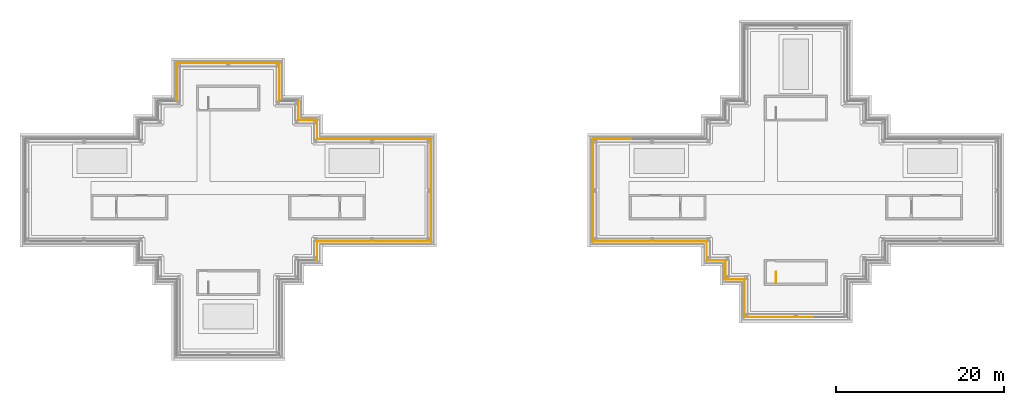
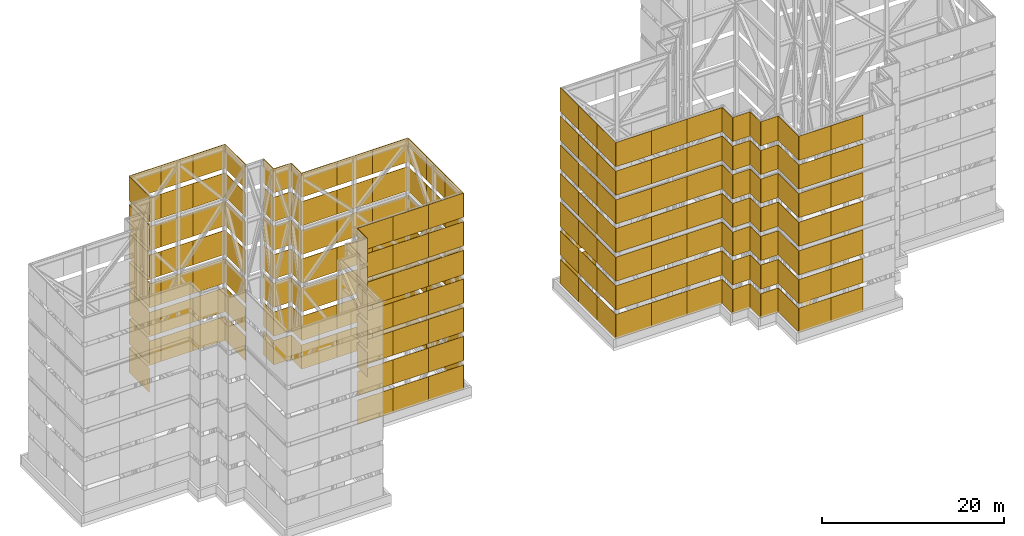
# One storey, part 15 of 19: 217 coverings, 1 railing.
"""IFC4 building model written with IfcOpenShell, lengths in metres."""

from ifc_helpers import new_model, si_unit, direction, frame, origin, origin_2d, place, context, subcontext, project, spatial, rectangle, circle, extrude, material, layer, layer_set, type_object, element, save


model = new_model("IFC4")

# Units and contexts
model_context = context("Model", 3, precision=1e-05, world=origin(), true_north=direction((0.0, 1.0)))
body_context = subcontext(model_context, "Body", "Model", "MODEL_VIEW")
ifc_project = project(units=[si_unit("LENGTHUNIT", "METRE"), si_unit("AREAUNIT", "SQUARE_METRE"), si_unit("VOLUMEUNIT", "CUBIC_METRE"), si_unit("PLANEANGLEUNIT", "RADIAN"), si_unit("MASSUNIT", "GRAM", prefix="KILO")], contexts=[model_context])

# Site, building, storey
site_placement = place(None, origin())
site = spatial("IfcSite", under=ifc_project, at=site_placement, CompositionType="ELEMENT")
building_placement = place(site_placement, origin())
building = spatial("IfcBuilding", under=site, at=building_placement, Name="Shamsa Quay Exchange Towers", CompositionType="ELEMENT")
storey_placement = place(building_placement, frame((0.0, 0.0, 284.300048828125)))
storey = spatial("IfcBuildingStorey", under=building, at=storey_placement, Name="Roof", CompositionType="ELEMENT", Elevation=284.300048828125)

# Coverings
ifc_material_1 = material(Name="Aluminium EN AW-5083, dark bronze anodised, perforated", Category="aluminium")
ifc_layer = layer(ifc_material_1, 0.0400390625)
ifc_layer_set = layer_set([ifc_layer], Name="CROWN SCREEN PANEL 40")
covering_type = type_object("IfcCoveringType", Name="CROWN SCREEN PANEL 40", PredefinedType="CLADDING", material=ifc_layer_set)
for number, where, z_axis, x_axis, name in (
    (1, (-23.14697265625, -7.2080078125, 8.28564453125), (0.0, 0.0, 1.0), (0.0, 1.0, 0.0), "SCREEN T1 CR08 tier 3"),
    (2, (-23.14697265625, -7.2080078125, 12.12841796875), (0.0, 0.0, 1.0), (0.0, 1.0, 0.0), "SCREEN T1 CR08 tier 4"),
    (3, (-23.14697265625, -7.2080078125, 15.97119140625), (0.0, 0.0, 1.0), (0.0, 1.0, 0.0), "SCREEN T1 CR08 tier 5"),
    (4, (-23.14697265625, -7.2080078125, 19.81396484375), (0.0, 0.0, 1.0), (0.0, 1.0, 0.0), "SCREEN T1 CR08 tier 6"),
    (5, (-23.14697265625, -7.2080078125, 23.6572265625), (0.0, 0.0, 1.0), (0.0, 1.0, 0.0), "SCREEN T1 CR08 tier 7"),
):
    element("IfcCovering", number, at=place(storey_placement, frame(where, z_axis=z_axis, x_axis=x_axis)), inside=storey, type_object=covering_type, Name=name, PredefinedType="CLADDING", context=body_context, shape_type="SweptSolid", body=[
        extrude(rectangle(XDim=2.25, YDim=0.0400390625, at=origin_2d()), origin(), (0.0, 0.0, 1.0), 3.242919921875),
    ])
for number, where, name in (
    (6, (-20.8818359375, -6.10302734375, 0.60009765625), "SCREEN T1 CR09 tier 1"),
    (7, (-16.39599609375, -6.10302734375, 0.60009765625), "SCREEN T1 CR09 tier 1"),
    (8, (-11.909912109375, -6.10302734375, 0.60009765625), "SCREEN T1 CR09 tier 1"),
    (9, (-20.8818359375, -6.10302734375, 4.44287109375), "SCREEN T1 CR09 tier 2"),
    (10, (-16.39599609375, -6.10302734375, 4.44287109375), "SCREEN T1 CR09 tier 2"),
    (11, (-11.909912109375, -6.10302734375, 4.44287109375), "SCREEN T1 CR09 tier 2"),
    (12, (-20.8818359375, -6.10302734375, 8.28564453125), "SCREEN T1 CR09 tier 3"),
    (13, (-16.39599609375, -6.10302734375, 8.28564453125), "SCREEN T1 CR09 tier 3"),
    (14, (-11.909912109375, -6.10302734375, 8.28564453125), "SCREEN T1 CR09 tier 3"),
    (15, (-20.8818359375, -6.10302734375, 12.12841796875), "SCREEN T1 CR09 tier 4"),
    (16, (-16.39599609375, -6.10302734375, 12.12841796875), "SCREEN T1 CR09 tier 4"),
    (17, (-11.909912109375, -6.10302734375, 12.12841796875), "SCREEN T1 CR09 tier 4"),
    (18, (-20.8818359375, -6.10302734375, 15.97119140625), "SCREEN T1 CR09 tier 5"),
    (19, (-16.39599609375, -6.10302734375, 15.97119140625), "SCREEN T1 CR09 tier 5"),
    (20, (-11.909912109375, -6.10302734375, 15.97119140625), "SCREEN T1 CR09 tier 5"),
    (21, (-20.8818359375, -6.10302734375, 19.81396484375), "SCREEN T1 CR09 tier 6"),
    (22, (-16.39599609375, -6.10302734375, 19.81396484375), "SCREEN T1 CR09 tier 6"),
    (23, (-11.909912109375, -6.10302734375, 19.81396484375), "SCREEN T1 CR09 tier 6"),
    (24, (-20.8818359375, -6.10302734375, 23.6572265625), "SCREEN T1 CR09 tier 7"),
    (25, (-16.39599609375, -6.10302734375, 23.6572265625), "SCREEN T1 CR09 tier 7"),
    (26, (-11.909912109375, -6.10302734375, 23.6572265625), "SCREEN T1 CR09 tier 7"),
):
    element("IfcCovering", number, at=place(storey_placement, frame(where)), inside=storey, type_object=covering_type, Name=name, PredefinedType="CLADDING", context=body_context, shape_type="SweptSolid", body=[
        extrude(rectangle(XDim=4.486083984375, YDim=0.0400390625, at=origin_2d()), origin(), (0.0, 0.0, 1.0), 3.242919921875),
    ])
for number, where, z_axis, x_axis, name in (
    (27, (-9.64697265625, -4.055419921875, 0.60009765625), (0.0, 0.0, 1.0), (0.0, 1.0, 0.0), "SCREEN T1 CR10 tier 1"),
    (28, (-9.64697265625, 0.0, 0.60009765625), (0.0, 0.0, 1.0), (0.0, 1.0, 0.0), "SCREEN T1 CR10 tier 1"),
    (29, (-9.64697265625, 4.055419921875, 0.60009765625), (0.0, 0.0, 1.0), (0.0, 1.0, 0.0), "SCREEN T1 CR10 tier 1"),
    (30, (-9.64697265625, -4.055419921875, 4.44287109375), (0.0, 0.0, 1.0), (0.0, 1.0, 0.0), "SCREEN T1 CR10 tier 2"),
    (31, (-9.64697265625, 0.0, 4.44287109375), (0.0, 0.0, 1.0), (0.0, 1.0, 0.0), "SCREEN T1 CR10 tier 2"),
    (32, (-9.64697265625, 4.055419921875, 4.44287109375), (0.0, 0.0, 1.0), (0.0, 1.0, 0.0), "SCREEN T1 CR10 tier 2"),
    (33, (-9.64697265625, -4.055419921875, 8.28564453125), (0.0, 0.0, 1.0), (0.0, 1.0, 0.0), "SCREEN T1 CR10 tier 3"),
    (34, (-9.64697265625, 0.0, 8.28564453125), (0.0, 0.0, 1.0), (0.0, 1.0, 0.0), "SCREEN T1 CR10 tier 3"),
    (35, (-9.64697265625, 4.055419921875, 8.28564453125), (0.0, 0.0, 1.0), (0.0, 1.0, 0.0), "SCREEN T1 CR10 tier 3"),
    (36, (-9.64697265625, -4.055419921875, 12.12841796875), (0.0, 0.0, 1.0), (0.0, 1.0, 0.0), "SCREEN T1 CR10 tier 4"),
    (37, (-9.64697265625, 0.0, 12.12841796875), (0.0, 0.0, 1.0), (0.0, 1.0, 0.0), "SCREEN T1 CR10 tier 4"),
    (38, (-9.64697265625, 4.055419921875, 12.12841796875), (0.0, 0.0, 1.0), (0.0, 1.0, 0.0), "SCREEN T1 CR10 tier 4"),
    (39, (-9.64697265625, -4.055419921875, 15.97119140625), (0.0, 0.0, 1.0), (0.0, 1.0, 0.0), "SCREEN T1 CR10 tier 5"),
    (40, (-9.64697265625, 0.0, 15.97119140625), (0.0, 0.0, 1.0), (0.0, 1.0, 0.0), "SCREEN T1 CR10 tier 5"),
    (41, (-9.64697265625, 4.055419921875, 15.97119140625), (0.0, 0.0, 1.0), (0.0, 1.0, 0.0), "SCREEN T1 CR10 tier 5"),
    (42, (-9.64697265625, -4.055419921875, 19.81396484375), (0.0, 0.0, 1.0), (0.0, 1.0, 0.0), "SCREEN T1 CR10 tier 6"),
    (43, (-9.64697265625, 0.0, 19.81396484375), (0.0, 0.0, 1.0), (0.0, 1.0, 0.0), "SCREEN T1 CR10 tier 6"),
    (44, (-9.64697265625, 4.055419921875, 19.81396484375), (0.0, 0.0, 1.0), (0.0, 1.0, 0.0), "SCREEN T1 CR10 tier 6"),
    (45, (-9.64697265625, -4.055419921875, 23.6572265625), (0.0, 0.0, 1.0), (0.0, 1.0, 0.0), "SCREEN T1 CR10 tier 7"),
    (46, (-9.64697265625, 0.0, 23.6572265625), (0.0, 0.0, 1.0), (0.0, 1.0, 0.0), "SCREEN T1 CR10 tier 7"),
    (47, (-9.64697265625, 4.055419921875, 23.6572265625), (0.0, 0.0, 1.0), (0.0, 1.0, 0.0), "SCREEN T1 CR10 tier 7"),
):
    element("IfcCovering", number, at=place(storey_placement, frame(where, z_axis=z_axis, x_axis=x_axis)), inside=storey, type_object=covering_type, Name=name, PredefinedType="CLADDING", context=body_context, shape_type="SweptSolid", body=[
        extrude(rectangle(XDim=4.055419921875, YDim=0.0400390625, at=origin_2d()), origin(), (0.0, 0.0, 1.0), 3.242919921875),
    ])
for number, where, z_axis, x_axis, name in (
    (48, (-11.9169921875, 6.10302734375, 0.60009765625), (0.0, 0.0, 1.0), (-1.0, 0.0, 0.0), "SCREEN T1 CR11 tier 1"),
    (49, (-16.4169921875, 6.10302734375, 0.60009765625), (0.0, 0.0, 1.0), (-1.0, 0.0, 0.0), "SCREEN T1 CR11 tier 1"),
    (50, (-20.9169921875, 6.10302734375, 0.60009765625), (0.0, 0.0, 1.0), (-1.0, 0.0, 0.0), "SCREEN T1 CR11 tier 1"),
    (51, (-11.9169921875, 6.10302734375, 4.44287109375), (0.0, 0.0, 1.0), (-1.0, 0.0, 0.0), "SCREEN T1 CR11 tier 2"),
    (52, (-16.4169921875, 6.10302734375, 4.44287109375), (0.0, 0.0, 1.0), (-1.0, 0.0, 0.0), "SCREEN T1 CR11 tier 2"),
    (53, (-20.9169921875, 6.10302734375, 4.44287109375), (0.0, 0.0, 1.0), (-1.0, 0.0, 0.0), "SCREEN T1 CR11 tier 2"),
    (54, (-11.9169921875, 6.10302734375, 8.28564453125), (0.0, 0.0, 1.0), (-1.0, 0.0, 0.0), "SCREEN T1 CR11 tier 3"),
    (55, (-16.4169921875, 6.10302734375, 8.28564453125), (0.0, 0.0, 1.0), (-1.0, 0.0, 0.0), "SCREEN T1 CR11 tier 3"),
    (56, (-20.9169921875, 6.10302734375, 8.28564453125), (0.0, 0.0, 1.0), (-1.0, 0.0, 0.0), "SCREEN T1 CR11 tier 3"),
    (57, (-11.9169921875, 6.10302734375, 12.12841796875), (0.0, 0.0, 1.0), (-1.0, 0.0, 0.0), "SCREEN T1 CR11 tier 4"),
    (58, (-16.4169921875, 6.10302734375, 12.12841796875), (0.0, 0.0, 1.0), (-1.0, 0.0, 0.0), "SCREEN T1 CR11 tier 4"),
    (59, (-20.9169921875, 6.10302734375, 12.12841796875), (0.0, 0.0, 1.0), (-1.0, 0.0, 0.0), "SCREEN T1 CR11 tier 4"),
    (60, (-11.9169921875, 6.10302734375, 15.97119140625), (0.0, 0.0, 1.0), (-1.0, 0.0, 0.0), "SCREEN T1 CR11 tier 5"),
    (61, (-16.4169921875, 6.10302734375, 15.97119140625), (0.0, 0.0, 1.0), (-1.0, 0.0, 0.0), "SCREEN T1 CR11 tier 5"),
    (62, (-20.9169921875, 6.10302734375, 15.97119140625), (0.0, 0.0, 1.0), (-1.0, 0.0, 0.0), "SCREEN T1 CR11 tier 5"),
    (63, (-11.9169921875, 6.10302734375, 19.81396484375), (0.0, 0.0, 1.0), (-1.0, 0.0, 0.0), "SCREEN T1 CR11 tier 6"),
    (64, (-16.4169921875, 6.10302734375, 19.81396484375), (0.0, 0.0, 1.0), (-1.0, 0.0, 0.0), "SCREEN T1 CR11 tier 6"),
    (65, (-20.9169921875, 6.10302734375, 19.81396484375), (0.0, 0.0, 1.0), (-1.0, 0.0, 0.0), "SCREEN T1 CR11 tier 6"),
    (66, (-11.9169921875, 6.10302734375, 23.6572265625), (0.0, 0.0, 1.0), (-1.0, 0.0, 0.0), "SCREEN T1 CR11 tier 7"),
    (67, (-16.4169921875, 6.10302734375, 23.6572265625), (0.0, 0.0, 1.0), (-1.0, 0.0, 0.0), "SCREEN T1 CR11 tier 7"),
    (68, (-20.9169921875, 6.10302734375, 23.6572265625), (0.0, 0.0, 1.0), (-1.0, 0.0, 0.0), "SCREEN T1 CR11 tier 7"),
):
    element("IfcCovering", number, at=place(storey_placement, frame(where, z_axis=z_axis, x_axis=x_axis)), inside=storey, type_object=covering_type, Name=name, PredefinedType="CLADDING", context=body_context, shape_type="SweptSolid", body=[
        extrude(rectangle(XDim=4.5, YDim=0.0400390625, at=origin_2d()), origin(), (0.0, 0.0, 1.0), 3.242919921875),
    ])
for number, where, z_axis, x_axis, name in (
    (69, (-23.14697265625, 7.22900390625, 0.60009765625), (0.0, 0.0, 1.0), (0.0, 1.0, 0.0), "SCREEN T1 CR12 tier 1"),
    (70, (-23.14697265625, 7.22900390625, 4.44287109375), (0.0, 0.0, 1.0), (0.0, 1.0, 0.0), "SCREEN T1 CR12 tier 2"),
    (71, (-23.14697265625, 7.22900390625, 8.28564453125), (0.0, 0.0, 1.0), (0.0, 1.0, 0.0), "SCREEN T1 CR12 tier 3"),
    (72, (-23.14697265625, 7.22900390625, 12.12841796875), (0.0, 0.0, 1.0), (0.0, 1.0, 0.0), "SCREEN T1 CR12 tier 4"),
    (73, (-23.14697265625, 7.22900390625, 15.97119140625), (0.0, 0.0, 1.0), (0.0, 1.0, 0.0), "SCREEN T1 CR12 tier 5"),
    (74, (-23.14697265625, 7.22900390625, 19.81396484375), (0.0, 0.0, 1.0), (0.0, 1.0, 0.0), "SCREEN T1 CR12 tier 6"),
    (75, (-23.14697265625, 7.22900390625, 23.6572265625), (0.0, 0.0, 1.0), (0.0, 1.0, 0.0), "SCREEN T1 CR12 tier 7"),
):
    element("IfcCovering", number, at=place(storey_placement, frame(where, z_axis=z_axis, x_axis=x_axis)), inside=storey, type_object=covering_type, Name=name, PredefinedType="CLADDING", context=body_context, shape_type="SweptSolid", body=[
        extrude(rectangle(XDim=2.2080078125, YDim=0.0400390625, at=origin_2d()), origin(), (0.0, 0.0, 1.0), 3.242919921875),
    ])
for number, where, z_axis, x_axis, name in (
    (76, (-24.2919921875, 8.35302734375, 0.60009765625), (0.0, 0.0, 1.0), (-1.0, 0.0, 0.0), "SCREEN T1 CR13 tier 1"),
    (77, (-24.2919921875, 8.35302734375, 4.44287109375), (0.0, 0.0, 1.0), (-1.0, 0.0, 0.0), "SCREEN T1 CR13 tier 2"),
    (78, (-24.2919921875, 8.35302734375, 8.28564453125), (0.0, 0.0, 1.0), (-1.0, 0.0, 0.0), "SCREEN T1 CR13 tier 3"),
    (79, (-24.2919921875, 8.35302734375, 12.12841796875), (0.0, 0.0, 1.0), (-1.0, 0.0, 0.0), "SCREEN T1 CR13 tier 4"),
    (80, (-24.2919921875, 8.35302734375, 15.97119140625), (0.0, 0.0, 1.0), (-1.0, 0.0, 0.0), "SCREEN T1 CR13 tier 5"),
    (81, (-24.2919921875, 8.35302734375, 19.81396484375), (0.0, 0.0, 1.0), (-1.0, 0.0, 0.0), "SCREEN T1 CR13 tier 6"),
    (82, (-24.2919921875, 8.35302734375, 23.6572265625), (0.0, 0.0, 1.0), (-1.0, 0.0, 0.0), "SCREEN T1 CR13 tier 7"),
):
    element("IfcCovering", number, at=place(storey_placement, frame(where, z_axis=z_axis, x_axis=x_axis)), inside=storey, type_object=covering_type, Name=name, PredefinedType="CLADDING", context=body_context, shape_type="SweptSolid", body=[
        extrude(rectangle(XDim=2.25, YDim=0.0400390625, at=origin_2d()), origin(), (0.0, 0.0, 1.0), 3.242919921875),
    ])
for number, where, z_axis, x_axis, name in (
    (83, (-25.39697265625, 9.47900390625, 0.60009765625), (0.0, 0.0, 1.0), (0.0, 1.0, 0.0), "SCREEN T1 CR14 tier 1"),
    (84, (-25.39697265625, 9.47900390625, 4.44287109375), (0.0, 0.0, 1.0), (0.0, 1.0, 0.0), "SCREEN T1 CR14 tier 2"),
    (85, (-25.39697265625, 9.47900390625, 8.28564453125), (0.0, 0.0, 1.0), (0.0, 1.0, 0.0), "SCREEN T1 CR14 tier 3"),
    (86, (-25.39697265625, 9.47900390625, 12.12841796875), (0.0, 0.0, 1.0), (0.0, 1.0, 0.0), "SCREEN T1 CR14 tier 4"),
    (87, (-25.39697265625, 9.47900390625, 15.97119140625), (0.0, 0.0, 1.0), (0.0, 1.0, 0.0), "SCREEN T1 CR14 tier 5"),
    (88, (-25.39697265625, 9.47900390625, 19.81396484375), (0.0, 0.0, 1.0), (0.0, 1.0, 0.0), "SCREEN T1 CR14 tier 6"),
    (89, (-25.39697265625, 9.47900390625, 23.6572265625), (0.0, 0.0, 1.0), (0.0, 1.0, 0.0), "SCREEN T1 CR14 tier 7"),
):
    element("IfcCovering", number, at=place(storey_placement, frame(where, z_axis=z_axis, x_axis=x_axis)), inside=storey, type_object=covering_type, Name=name, PredefinedType="CLADDING", context=body_context, shape_type="SweptSolid", body=[
        extrude(rectangle(XDim=2.2080078125, YDim=0.0400390625, at=origin_2d()), origin(), (0.0, 0.0, 1.0), 3.242919921875),
    ])
for number, where, z_axis, x_axis, name in (
    (90, (-27.64697265625, 12.85400390625, 0.60009765625), (0.0, 0.0, 1.0), (0.0, 1.0, 0.0), "SCREEN T1 CR16 tier 1"),
    (91, (-27.64697265625, 12.85400390625, 4.44287109375), (0.0, 0.0, 1.0), (0.0, 1.0, 0.0), "SCREEN T1 CR16 tier 2"),
    (92, (-27.64697265625, 12.85400390625, 8.28564453125), (0.0, 0.0, 1.0), (0.0, 1.0, 0.0), "SCREEN T1 CR16 tier 3"),
    (93, (-27.64697265625, 12.85400390625, 12.12841796875), (0.0, 0.0, 1.0), (0.0, 1.0, 0.0), "SCREEN T1 CR16 tier 4"),
    (94, (-27.64697265625, 12.85400390625, 15.97119140625), (0.0, 0.0, 1.0), (0.0, 1.0, 0.0), "SCREEN T1 CR16 tier 5"),
    (95, (-27.64697265625, 12.85400390625, 19.81396484375), (0.0, 0.0, 1.0), (0.0, 1.0, 0.0), "SCREEN T1 CR16 tier 6"),
    (96, (-27.64697265625, 12.85400390625, 23.6572265625), (0.0, 0.0, 1.0), (0.0, 1.0, 0.0), "SCREEN T1 CR16 tier 7"),
):
    element("IfcCovering", number, at=place(storey_placement, frame(where, z_axis=z_axis, x_axis=x_axis)), inside=storey, type_object=covering_type, Name=name, PredefinedType="CLADDING", context=body_context, shape_type="SweptSolid", body=[
        extrude(rectangle(XDim=4.4580078125, YDim=0.0400390625, at=origin_2d()), origin(), (0.0, 0.0, 1.0), 3.242919921875),
    ])
for number, where, z_axis, x_axis, name in (
    (97, (-29.694580078125, 15.10302734375, 0.60009765625), (0.0, 0.0, 1.0), (-1.0, 0.0, 0.0), "SCREEN T1 CR17 tier 1"),
    (98, (-33.75, 15.10302734375, 0.60009765625), (0.0, 0.0, 1.0), (-1.0, 0.0, 0.0), "SCREEN T1 CR17 tier 1"),
    (99, (-37.805419921875, 15.10302734375, 0.60009765625), (0.0, 0.0, 1.0), (-1.0, 0.0, 0.0), "SCREEN T1 CR17 tier 1"),
    (100, (-29.694580078125, 15.10302734375, 4.44287109375), (0.0, 0.0, 1.0), (-1.0, 0.0, 0.0), "SCREEN T1 CR17 tier 2"),
    (101, (-33.75, 15.10302734375, 4.44287109375), (0.0, 0.0, 1.0), (-1.0, 0.0, 0.0), "SCREEN T1 CR17 tier 2"),
    (102, (-37.805419921875, 15.10302734375, 4.44287109375), (0.0, 0.0, 1.0), (-1.0, 0.0, 0.0), "SCREEN T1 CR17 tier 2"),
    (103, (-29.694580078125, 15.10302734375, 8.28564453125), (0.0, 0.0, 1.0), (-1.0, 0.0, 0.0), "SCREEN T1 CR17 tier 3"),
    (104, (-33.75, 15.10302734375, 8.28564453125), (0.0, 0.0, 1.0), (-1.0, 0.0, 0.0), "SCREEN T1 CR17 tier 3"),
    (105, (-37.805419921875, 15.10302734375, 8.28564453125), (0.0, 0.0, 1.0), (-1.0, 0.0, 0.0), "SCREEN T1 CR17 tier 3"),
    (106, (-29.694580078125, 15.10302734375, 12.12841796875), (0.0, 0.0, 1.0), (-1.0, 0.0, 0.0), "SCREEN T1 CR17 tier 4"),
    (107, (-33.75, 15.10302734375, 12.12841796875), (0.0, 0.0, 1.0), (-1.0, 0.0, 0.0), "SCREEN T1 CR17 tier 4"),
    (108, (-37.805419921875, 15.10302734375, 12.12841796875), (0.0, 0.0, 1.0), (-1.0, 0.0, 0.0), "SCREEN T1 CR17 tier 4"),
    (109, (-29.694580078125, 15.10302734375, 15.97119140625), (0.0, 0.0, 1.0), (-1.0, 0.0, 0.0), "SCREEN T1 CR17 tier 5"),
    (110, (-33.75, 15.10302734375, 15.97119140625), (0.0, 0.0, 1.0), (-1.0, 0.0, 0.0), "SCREEN T1 CR17 tier 5"),
    (111, (-37.805419921875, 15.10302734375, 15.97119140625), (0.0, 0.0, 1.0), (-1.0, 0.0, 0.0), "SCREEN T1 CR17 tier 5"),
    (112, (-29.694580078125, 15.10302734375, 19.81396484375), (0.0, 0.0, 1.0), (-1.0, 0.0, 0.0), "SCREEN T1 CR17 tier 6"),
    (113, (-33.75, 15.10302734375, 19.81396484375), (0.0, 0.0, 1.0), (-1.0, 0.0, 0.0), "SCREEN T1 CR17 tier 6"),
    (114, (-37.805419921875, 15.10302734375, 19.81396484375), (0.0, 0.0, 1.0), (-1.0, 0.0, 0.0), "SCREEN T1 CR17 tier 6"),
    (115, (-29.694580078125, 15.10302734375, 23.6572265625), (0.0, 0.0, 1.0), (-1.0, 0.0, 0.0), "SCREEN T1 CR17 tier 7"),
    (116, (-33.75, 15.10302734375, 23.6572265625), (0.0, 0.0, 1.0), (-1.0, 0.0, 0.0), "SCREEN T1 CR17 tier 7"),
    (117, (-37.805419921875, 15.10302734375, 23.6572265625), (0.0, 0.0, 1.0), (-1.0, 0.0, 0.0), "SCREEN T1 CR17 tier 7"),
):
    element("IfcCovering", number, at=place(storey_placement, frame(where, z_axis=z_axis, x_axis=x_axis)), inside=storey, type_object=covering_type, Name=name, PredefinedType="CLADDING", context=body_context, shape_type="SweptSolid", body=[
        extrude(rectangle(XDim=4.055419921875, YDim=0.0400390625, at=origin_2d()), origin(), (0.0, 0.0, 1.0), 3.242919921875),
    ])
for number, where, z_axis, x_axis, name in (
    (118, (-39.85302734375, 12.8330078125, 0.60009765625), (0.0, 0.0, 1.0), (0.0, -1.0, 0.0), "SCREEN T1 CR18 tier 1"),
    (119, (-39.85302734375, 12.8330078125, 4.44287109375), (0.0, 0.0, 1.0), (0.0, -1.0, 0.0), "SCREEN T1 CR18 tier 2"),
    (120, (-39.85302734375, 12.8330078125, 8.28564453125), (0.0, 0.0, 1.0), (0.0, -1.0, 0.0), "SCREEN T1 CR18 tier 3"),
    (121, (-39.85302734375, 12.8330078125, 12.12841796875), (0.0, 0.0, 1.0), (0.0, -1.0, 0.0), "SCREEN T1 CR18 tier 4"),
    (122, (-39.85302734375, 12.8330078125, 15.97119140625), (0.0, 0.0, 1.0), (0.0, -1.0, 0.0), "SCREEN T1 CR18 tier 5"),
    (123, (-39.85302734375, 12.8330078125, 19.81396484375), (0.0, 0.0, 1.0), (0.0, -1.0, 0.0), "SCREEN T1 CR18 tier 6"),
    (124, (-39.85302734375, 12.8330078125, 23.6572265625), (0.0, 0.0, 1.0), (0.0, -1.0, 0.0), "SCREEN T1 CR18 tier 7"),
):
    element("IfcCovering", number, at=place(storey_placement, frame(where, z_axis=z_axis, x_axis=x_axis)), inside=storey, type_object=covering_type, Name=name, PredefinedType="CLADDING", context=body_context, shape_type="SweptSolid", body=[
        extrude(rectangle(XDim=4.5, YDim=0.0400390625, at=origin_2d()), origin(), (0.0, 0.0, 1.0), 3.242919921875),
    ])
for number, where, z_axis, x_axis, name in (
    (125, (11.909912109375, 6.10302734375, 0.60009765625), (0.0, 0.0, 1.0), (-1.0, 0.0, 0.0), "SCREEN T2 CR16 tier 1"),
    (126, (11.909912109375, 6.10302734375, 4.44287109375), (0.0, 0.0, 1.0), (-1.0, 0.0, 0.0), "SCREEN T2 CR16 tier 2"),
):
    element("IfcCovering", number, at=place(storey_placement, frame(where, z_axis=z_axis, x_axis=x_axis)), inside=storey, type_object=covering_type, Name=name, PredefinedType="CLADDING", context=body_context, shape_type="SweptSolid", body=[
        extrude(rectangle(XDim=4.486083984375, YDim=0.0400390625, at=origin_2d()), origin(), (0.0, 0.0, 1.0), 3.242919921875),
    ])
for number, where, z_axis, x_axis, name in (
    (127, (9.64697265625, 4.055419921875, 0.60009765625), (0.0, 0.0, 1.0), (0.0, -1.0, 0.0), "SCREEN T2 CR17 tier 1"),
    (128, (9.64697265625, 0.0, 0.60009765625), (0.0, 0.0, 1.0), (0.0, -1.0, 0.0), "SCREEN T2 CR17 tier 1"),
    (129, (9.64697265625, -4.055419921875, 0.60009765625), (0.0, 0.0, 1.0), (0.0, -1.0, 0.0), "SCREEN T2 CR17 tier 1"),
    (130, (9.64697265625, 4.055419921875, 4.44287109375), (0.0, 0.0, 1.0), (0.0, -1.0, 0.0), "SCREEN T2 CR17 tier 2"),
    (131, (9.64697265625, 0.0, 4.44287109375), (0.0, 0.0, 1.0), (0.0, -1.0, 0.0), "SCREEN T2 CR17 tier 2"),
    (132, (9.64697265625, -4.055419921875, 4.44287109375), (0.0, 0.0, 1.0), (0.0, -1.0, 0.0), "SCREEN T2 CR17 tier 2"),
    (133, (9.64697265625, 4.055419921875, 8.28564453125), (0.0, 0.0, 1.0), (0.0, -1.0, 0.0), "SCREEN T2 CR17 tier 3"),
    (134, (9.64697265625, 0.0, 8.28564453125), (0.0, 0.0, 1.0), (0.0, -1.0, 0.0), "SCREEN T2 CR17 tier 3"),
    (135, (9.64697265625, -4.055419921875, 8.28564453125), (0.0, 0.0, 1.0), (0.0, -1.0, 0.0), "SCREEN T2 CR17 tier 3"),
    (136, (9.64697265625, 4.055419921875, 12.12841796875), (0.0, 0.0, 1.0), (0.0, -1.0, 0.0), "SCREEN T2 CR17 tier 4"),
    (137, (9.64697265625, 0.0, 12.12841796875), (0.0, 0.0, 1.0), (0.0, -1.0, 0.0), "SCREEN T2 CR17 tier 4"),
    (138, (9.64697265625, -4.055419921875, 12.12841796875), (0.0, 0.0, 1.0), (0.0, -1.0, 0.0), "SCREEN T2 CR17 tier 4"),
    (139, (9.64697265625, 4.055419921875, 15.97119140625), (0.0, 0.0, 1.0), (0.0, -1.0, 0.0), "SCREEN T2 CR17 tier 5"),
    (140, (9.64697265625, 0.0, 15.97119140625), (0.0, 0.0, 1.0), (0.0, -1.0, 0.0), "SCREEN T2 CR17 tier 5"),
    (141, (9.64697265625, -4.055419921875, 15.97119140625), (0.0, 0.0, 1.0), (0.0, -1.0, 0.0), "SCREEN T2 CR17 tier 5"),
    (142, (9.64697265625, 4.055419921875, 19.81396484375), (0.0, 0.0, 1.0), (0.0, -1.0, 0.0), "SCREEN T2 CR17 tier 6"),
    (143, (9.64697265625, 0.0, 19.81396484375), (0.0, 0.0, 1.0), (0.0, -1.0, 0.0), "SCREEN T2 CR17 tier 6"),
    (144, (9.64697265625, -4.055419921875, 19.81396484375), (0.0, 0.0, 1.0), (0.0, -1.0, 0.0), "SCREEN T2 CR17 tier 6"),
    (145, (9.64697265625, 4.055419921875, 23.6572265625), (0.0, 0.0, 1.0), (0.0, -1.0, 0.0), "SCREEN T2 CR17 tier 7"),
    (146, (9.64697265625, 0.0, 23.6572265625), (0.0, 0.0, 1.0), (0.0, -1.0, 0.0), "SCREEN T2 CR17 tier 7"),
    (147, (9.64697265625, -4.055419921875, 23.6572265625), (0.0, 0.0, 1.0), (0.0, -1.0, 0.0), "SCREEN T2 CR17 tier 7"),
):
    element("IfcCovering", number, at=place(storey_placement, frame(where, z_axis=z_axis, x_axis=x_axis)), inside=storey, type_object=covering_type, Name=name, PredefinedType="CLADDING", context=body_context, shape_type="SweptSolid", body=[
        extrude(rectangle(XDim=4.055419921875, YDim=0.0400390625, at=origin_2d()), origin(), (0.0, 0.0, 1.0), 3.242919921875),
    ])
for number, where, name in (
    (148, (11.9169921875, -6.10302734375, 0.60009765625), "SCREEN T2 CR18 tier 1"),
    (149, (16.4169921875, -6.10302734375, 0.60009765625), "SCREEN T2 CR18 tier 1"),
    (150, (20.9169921875, -6.10302734375, 0.60009765625), "SCREEN T2 CR18 tier 1"),
    (151, (11.9169921875, -6.10302734375, 4.44287109375), "SCREEN T2 CR18 tier 2"),
    (152, (16.4169921875, -6.10302734375, 4.44287109375), "SCREEN T2 CR18 tier 2"),
    (153, (20.9169921875, -6.10302734375, 4.44287109375), "SCREEN T2 CR18 tier 2"),
    (154, (11.9169921875, -6.10302734375, 8.28564453125), "SCREEN T2 CR18 tier 3"),
    (155, (16.4169921875, -6.10302734375, 8.28564453125), "SCREEN T2 CR18 tier 3"),
    (156, (20.9169921875, -6.10302734375, 8.28564453125), "SCREEN T2 CR18 tier 3"),
    (157, (11.9169921875, -6.10302734375, 12.12841796875), "SCREEN T2 CR18 tier 4"),
    (158, (16.4169921875, -6.10302734375, 12.12841796875), "SCREEN T2 CR18 tier 4"),
    (159, (20.9169921875, -6.10302734375, 12.12841796875), "SCREEN T2 CR18 tier 4"),
    (160, (11.9169921875, -6.10302734375, 15.97119140625), "SCREEN T2 CR18 tier 5"),
    (161, (16.4169921875, -6.10302734375, 15.97119140625), "SCREEN T2 CR18 tier 5"),
    (162, (20.9169921875, -6.10302734375, 15.97119140625), "SCREEN T2 CR18 tier 5"),
    (163, (11.9169921875, -6.10302734375, 19.81396484375), "SCREEN T2 CR18 tier 6"),
    (164, (16.4169921875, -6.10302734375, 19.81396484375), "SCREEN T2 CR18 tier 6"),
    (165, (20.9169921875, -6.10302734375, 19.81396484375), "SCREEN T2 CR18 tier 6"),
    (166, (11.9169921875, -6.10302734375, 23.6572265625), "SCREEN T2 CR18 tier 7"),
    (167, (16.4169921875, -6.10302734375, 23.6572265625), "SCREEN T2 CR18 tier 7"),
    (168, (20.9169921875, -6.10302734375, 23.6572265625), "SCREEN T2 CR18 tier 7"),
):
    element("IfcCovering", number, at=place(storey_placement, frame(where)), inside=storey, type_object=covering_type, Name=name, PredefinedType="CLADDING", context=body_context, shape_type="SweptSolid", body=[
        extrude(rectangle(XDim=4.5, YDim=0.0400390625, at=origin_2d()), origin(), (0.0, 0.0, 1.0), 3.242919921875),
    ])
for number, where, z_axis, x_axis, name in (
    (169, (23.14697265625, -7.22900390625, 0.60009765625), (0.0, 0.0, 1.0), (0.0, -1.0, 0.0), "SCREEN T2 CR19 tier 1"),
    (170, (23.14697265625, -7.22900390625, 4.44287109375), (0.0, 0.0, 1.0), (0.0, -1.0, 0.0), "SCREEN T2 CR19 tier 2"),
    (171, (23.14697265625, -7.22900390625, 8.28564453125), (0.0, 0.0, 1.0), (0.0, -1.0, 0.0), "SCREEN T2 CR19 tier 3"),
    (172, (23.14697265625, -7.22900390625, 12.12841796875), (0.0, 0.0, 1.0), (0.0, -1.0, 0.0), "SCREEN T2 CR19 tier 4"),
    (173, (23.14697265625, -7.22900390625, 15.97119140625), (0.0, 0.0, 1.0), (0.0, -1.0, 0.0), "SCREEN T2 CR19 tier 5"),
    (174, (23.14697265625, -7.22900390625, 19.81396484375), (0.0, 0.0, 1.0), (0.0, -1.0, 0.0), "SCREEN T2 CR19 tier 6"),
    (175, (23.14697265625, -7.22900390625, 23.6572265625), (0.0, 0.0, 1.0), (0.0, -1.0, 0.0), "SCREEN T2 CR19 tier 7"),
):
    element("IfcCovering", number, at=place(storey_placement, frame(where, z_axis=z_axis, x_axis=x_axis)), inside=storey, type_object=covering_type, Name=name, PredefinedType="CLADDING", context=body_context, shape_type="SweptSolid", body=[
        extrude(rectangle(XDim=2.2080078125, YDim=0.0400390625, at=origin_2d()), origin(), (0.0, 0.0, 1.0), 3.242919921875),
    ])
for number, where, name in (
    (176, (24.2919921875, -8.35302734375, 0.60009765625), "SCREEN T2 CR20 tier 1"),
    (177, (24.2919921875, -8.35302734375, 4.44287109375), "SCREEN T2 CR20 tier 2"),
    (178, (24.2919921875, -8.35302734375, 8.28564453125), "SCREEN T2 CR20 tier 3"),
    (179, (24.2919921875, -8.35302734375, 12.12841796875), "SCREEN T2 CR20 tier 4"),
    (180, (24.2919921875, -8.35302734375, 15.97119140625), "SCREEN T2 CR20 tier 5"),
    (181, (24.2919921875, -8.35302734375, 19.81396484375), "SCREEN T2 CR20 tier 6"),
    (182, (24.2919921875, -8.35302734375, 23.6572265625), "SCREEN T2 CR20 tier 7"),
):
    element("IfcCovering", number, at=place(storey_placement, frame(where)), inside=storey, type_object=covering_type, Name=name, PredefinedType="CLADDING", context=body_context, shape_type="SweptSolid", body=[
        extrude(rectangle(XDim=2.25, YDim=0.0400390625, at=origin_2d()), origin(), (0.0, 0.0, 1.0), 3.242919921875),
    ])
for number, where, z_axis, x_axis, name in (
    (183, (25.39697265625, -9.47900390625, 0.60009765625), (0.0, 0.0, 1.0), (0.0, -1.0, 0.0), "SCREEN T2 CR21 tier 1"),
    (184, (25.39697265625, -9.47900390625, 4.44287109375), (0.0, 0.0, 1.0), (0.0, -1.0, 0.0), "SCREEN T2 CR21 tier 2"),
    (185, (25.39697265625, -9.47900390625, 8.28564453125), (0.0, 0.0, 1.0), (0.0, -1.0, 0.0), "SCREEN T2 CR21 tier 3"),
    (186, (25.39697265625, -9.47900390625, 12.12841796875), (0.0, 0.0, 1.0), (0.0, -1.0, 0.0), "SCREEN T2 CR21 tier 4"),
    (187, (25.39697265625, -9.47900390625, 15.97119140625), (0.0, 0.0, 1.0), (0.0, -1.0, 0.0), "SCREEN T2 CR21 tier 5"),
    (188, (25.39697265625, -9.47900390625, 19.81396484375), (0.0, 0.0, 1.0), (0.0, -1.0, 0.0), "SCREEN T2 CR21 tier 6"),
    (189, (25.39697265625, -9.47900390625, 23.6572265625), (0.0, 0.0, 1.0), (0.0, -1.0, 0.0), "SCREEN T2 CR21 tier 7"),
):
    element("IfcCovering", number, at=place(storey_placement, frame(where, z_axis=z_axis, x_axis=x_axis)), inside=storey, type_object=covering_type, Name=name, PredefinedType="CLADDING", context=body_context, shape_type="SweptSolid", body=[
        extrude(rectangle(XDim=2.2080078125, YDim=0.0400390625, at=origin_2d()), origin(), (0.0, 0.0, 1.0), 3.242919921875),
    ])
for number, where, name in (
    (190, (26.5419921875, -10.60302734375, 0.60009765625), "SCREEN T2 CR22 tier 1"),
    (191, (26.5419921875, -10.60302734375, 4.44287109375), "SCREEN T2 CR22 tier 2"),
    (192, (26.5419921875, -10.60302734375, 8.28564453125), "SCREEN T2 CR22 tier 3"),
    (193, (26.5419921875, -10.60302734375, 12.12841796875), "SCREEN T2 CR22 tier 4"),
    (194, (26.5419921875, -10.60302734375, 15.97119140625), "SCREEN T2 CR22 tier 5"),
    (195, (26.5419921875, -10.60302734375, 19.81396484375), "SCREEN T2 CR22 tier 6"),
    (196, (26.5419921875, -10.60302734375, 23.6572265625), "SCREEN T2 CR22 tier 7"),
):
    element("IfcCovering", number, at=place(storey_placement, frame(where)), inside=storey, type_object=covering_type, Name=name, PredefinedType="CLADDING", context=body_context, shape_type="SweptSolid", body=[
        extrude(rectangle(XDim=2.25, YDim=0.0400390625, at=origin_2d()), origin(), (0.0, 0.0, 1.0), 3.242919921875),
    ])
for number, where, z_axis, x_axis, name in (
    (197, (27.64697265625, -12.85400390625, 0.60009765625), (0.0, 0.0, 1.0), (0.0, -1.0, 0.0), "SCREEN T2 CR23 tier 1"),
    (198, (27.64697265625, -12.85400390625, 4.44287109375), (0.0, 0.0, 1.0), (0.0, -1.0, 0.0), "SCREEN T2 CR23 tier 2"),
    (199, (27.64697265625, -12.85400390625, 8.28564453125), (0.0, 0.0, 1.0), (0.0, -1.0, 0.0), "SCREEN T2 CR23 tier 3"),
    (200, (27.64697265625, -12.85400390625, 12.12841796875), (0.0, 0.0, 1.0), (0.0, -1.0, 0.0), "SCREEN T2 CR23 tier 4"),
    (201, (27.64697265625, -12.85400390625, 15.97119140625), (0.0, 0.0, 1.0), (0.0, -1.0, 0.0), "SCREEN T2 CR23 tier 5"),
    (202, (27.64697265625, -12.85400390625, 19.81396484375), (0.0, 0.0, 1.0), (0.0, -1.0, 0.0), "SCREEN T2 CR23 tier 6"),
    (203, (27.64697265625, -12.85400390625, 23.6572265625), (0.0, 0.0, 1.0), (0.0, -1.0, 0.0), "SCREEN T2 CR23 tier 7"),
):
    element("IfcCovering", number, at=place(storey_placement, frame(where, z_axis=z_axis, x_axis=x_axis)), inside=storey, type_object=covering_type, Name=name, PredefinedType="CLADDING", context=body_context, shape_type="SweptSolid", body=[
        extrude(rectangle(XDim=4.4580078125, YDim=0.0400390625, at=origin_2d()), origin(), (0.0, 0.0, 1.0), 3.242919921875),
    ])
for number, where, name in (
    (204, (29.694580078125, -15.10302734375, 0.60009765625), "SCREEN T2 CR24 tier 1"),
    (205, (33.75, -15.10302734375, 0.60009765625), "SCREEN T2 CR24 tier 1"),
    (206, (29.694580078125, -15.10302734375, 4.44287109375), "SCREEN T2 CR24 tier 2"),
    (207, (33.75, -15.10302734375, 4.44287109375), "SCREEN T2 CR24 tier 2"),
    (208, (29.694580078125, -15.10302734375, 8.28564453125), "SCREEN T2 CR24 tier 3"),
    (209, (33.75, -15.10302734375, 8.28564453125), "SCREEN T2 CR24 tier 3"),
    (210, (29.694580078125, -15.10302734375, 12.12841796875), "SCREEN T2 CR24 tier 4"),
    (211, (33.75, -15.10302734375, 12.12841796875), "SCREEN T2 CR24 tier 4"),
    (212, (29.694580078125, -15.10302734375, 15.97119140625), "SCREEN T2 CR24 tier 5"),
    (213, (33.75, -15.10302734375, 15.97119140625), "SCREEN T2 CR24 tier 5"),
    (214, (29.694580078125, -15.10302734375, 19.81396484375), "SCREEN T2 CR24 tier 6"),
    (215, (33.75, -15.10302734375, 19.81396484375), "SCREEN T2 CR24 tier 6"),
    (216, (29.694580078125, -15.10302734375, 23.6572265625), "SCREEN T2 CR24 tier 7"),
    (217, (33.75, -15.10302734375, 23.6572265625), "SCREEN T2 CR24 tier 7"),
):
    element("IfcCovering", number, at=place(storey_placement, frame(where)), inside=storey, type_object=covering_type, Name=name, PredefinedType="CLADDING", context=body_context, shape_type="SweptSolid", body=[
        extrude(rectangle(XDim=4.055419921875, YDim=0.0400390625, at=origin_2d()), origin(), (0.0, 0.0, 1.0), 3.242919921875),
    ])

# Railing
ifc_material_2 = material(Name="Stainless steel", Category="steel")
railing_type = type_object("IfcRailingType", Name="STAIR GUARD 1100", PredefinedType="GUARDRAIL", material=ifc_material_2)
railing_placement = place(storey_placement, frame((31.39990234375, -11.050048828125, 0.0)))
element("IfcRailing", 218, at=railing_placement, inside=storey, type_object=railing_type, Name="Roof RS4 top well guard 1", PredefinedType="GUARDRAIL", context=body_context, shape_type="SweptSolid", body=[
    extrude(circle(Radius=0.02392578125, at=origin_2d()), frame((0.0, 0.0, 1.076171875), z_axis=(0.0, 1.0, 0.0), x_axis=(-1.0, 0.0, 0.0)), (0.0, 0.0, 1.0), 1.35009765625),
    extrude(circle(Radius=0.02099609375, at=origin_2d()), origin(), (0.0, 0.0, 1.0), 1.052001953125),
    extrude(circle(Radius=0.02099609375, at=origin_2d()), frame((0.0, 0.675048828125, 0.0)), (0.0, 0.0, 1.0), 1.052001953125),
    extrude(circle(Radius=0.02099609375, at=origin_2d()), frame((0.0, 1.35009765625, 0.0)), (0.0, 0.0, 1.0), 1.052001953125),
])

save(model, "model.ifc")
